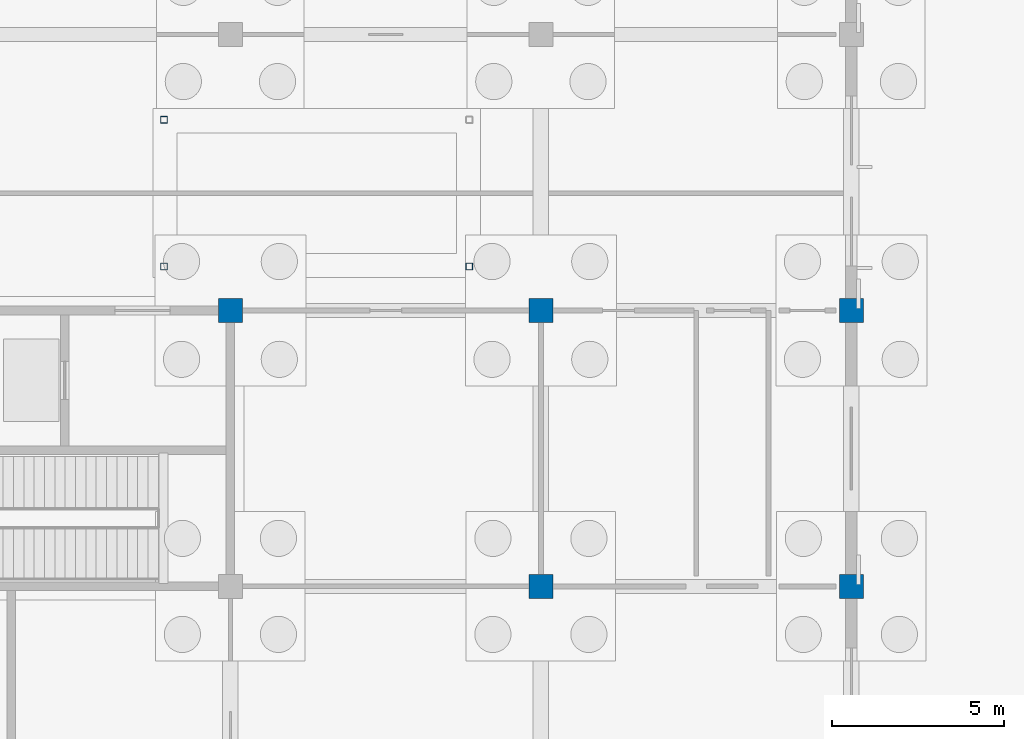
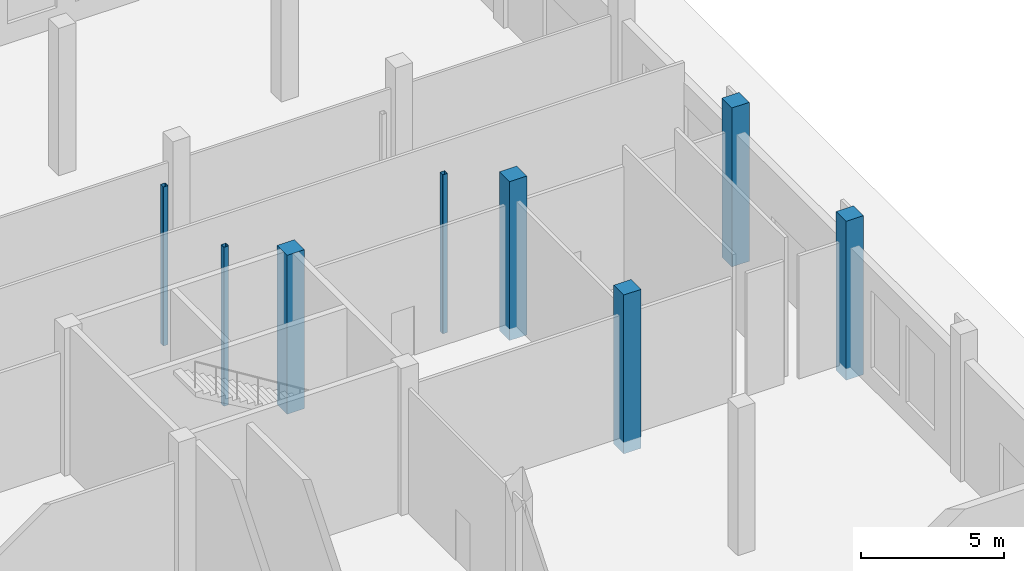
# One storey, part 33 of 99: 8 columns.
"""IFC4 building model written with IfcOpenShell, lengths in metres."""

import ifcopenshell
import ifcopenshell.guid

model = None  # the IFC model being written
_history = None  # IfcOwnerHistory: only IFC2X3 demands one
_inside = {}  # id of a spatial element -> (the spatial element, [elements in it])
_under = {}  # id of a project, library or spatial element -> (it, [spatial elements below it])
_declared = {}  # id of a project -> (the project, [libraries it declares])
_typed = {}  # id of a type object -> (the type object, [elements of that type])
_made_of = {}  # id of a material, layer set ... -> (it, [elements and type objects made of it])


def new_model(schema):
    """Start an empty IFC model of exactly this schema.

    Asked for "IFC4X3", IfcOpenShell would pick the latest addendum, in which some entities
    have other attributes; the version numbers below select the first issue.
    IFC2X3 requires an IfcOwnerHistory on every rooted entity: one is made here for all.
    """
    global model, _history
    if schema == "IFC4X3":
        model = ifcopenshell.file(schema_version=(4, 3, 0, 0))
    else:
        model = ifcopenshell.file(schema=schema)
    _inside.clear()
    _under.clear()
    _declared.clear()
    _typed.clear()
    _made_of.clear()
    _history = None
    if model.schema == "IFC2X3":
        org = make("IfcOrganization", Name="unknown")
        user = make(
            "IfcPersonAndOrganization",
            ThePerson=make("IfcPerson", FamilyName="unknown"),
            TheOrganization=org,
        )
        app = make(
            "IfcApplication",
            ApplicationDeveloper=org,
            Version="unknown",
            ApplicationFullName="unknown",
            ApplicationIdentifier="unknown",
        )
        _history = make(
            "IfcOwnerHistory",
            OwningUser=user,
            OwningApplication=app,
            ChangeAction="ADDED",
            CreationDate=0,
        )
    return model


def make(cls, **values):
    """One entity of the class cls with the attributes given. An attribute that is None is left unset."""
    return model.create_entity(
        cls, **{name: value for name, value in values.items() if value is not None}
    )


def rooted(cls, **values):
    """An entity with a GlobalId (a new one), such as an element, a storey or a relation."""
    return make(cls, GlobalId=ifcopenshell.guid.new(), OwnerHistory=_history, **values)


def si_unit(unit_type, name, prefix=None):
    """IfcSIUnit, for example si_unit("LENGTHUNIT", "METRE", prefix="MILLI")."""
    return make("IfcSIUnit", UnitType=unit_type, Prefix=prefix, Name=name)


def assignment(units):
    """IfcUnitAssignment: the units of a project."""
    return None if units is None else make("IfcUnitAssignment", Units=units)


def point(xyz):
    """IfcCartesianPoint."""
    return None if xyz is None else make("IfcCartesianPoint", Coordinates=xyz)


def direction(xyz):
    """IfcDirection."""
    return None if xyz is None else make("IfcDirection", DirectionRatios=xyz)


def frame(location, z_axis=None, x_axis=None):
    """IfcAxis2Placement3D, a coordinate frame: its origin and axes. An axis left out is left unset."""
    return make(
        "IfcAxis2Placement3D",
        Location=point(location),
        Axis=direction(z_axis),
        RefDirection=direction(x_axis),
    )


def frame_2d(location, x_axis=None):
    """IfcAxis2Placement2D, a coordinate frame in the plane: its origin and x axis."""
    return make(
        "IfcAxis2Placement2D", Location=point(location), RefDirection=direction(x_axis)
    )


def origin():
    """The frame at (0, 0, 0) with its axes left unset."""
    return frame((0.0, 0.0, 0.0))


def origin_2d():
    """The frame at (0, 0) in the plane with its x axis left unset."""
    return frame_2d((0.0, 0.0))


def place(relative_to, where):
    """IfcLocalPlacement: puts the frame where relative to a parent placement (None: the world)."""
    return make(
        "IfcLocalPlacement", PlacementRelTo=relative_to, RelativePlacement=where
    )


def context(
    kind, dimensions, precision=None, world=None, true_north=None, identifier=None
):
    """IfcGeometricRepresentationContext, for example the 3D "Model" context."""
    return make(
        "IfcGeometricRepresentationContext",
        ContextIdentifier=identifier,
        ContextType=kind,
        CoordinateSpaceDimension=dimensions,
        Precision=precision,
        WorldCoordinateSystem=world,
        TrueNorth=true_north,
    )


def subcontext(parent, identifier, kind, view, scale=None):
    """IfcGeometricRepresentationSubContext, for example "Body" below "Model"."""
    return make(
        "IfcGeometricRepresentationSubContext",
        ContextIdentifier=identifier,
        ContextType=kind,
        ParentContext=parent,
        TargetScale=scale,
        TargetView=view,
    )


def project(units=None, contexts=None):
    """IfcProject with its units and contexts."""
    return rooted(
        "IfcProject",
        Name="project",
        RepresentationContexts=contexts,
        UnitsInContext=assignment(units),
    )


def spatial(cls, under=None, at=None, **own):
    """A site, building, storey or space (cls), placed at a placement, below another one or the project."""
    s = rooted(cls, ObjectPlacement=at, **own)
    if under is not None:
        _under.setdefault(under.id(), (under, []))[1].append(s)
    return s


def profile(cls, at=None, kind="AREA", **sizes):
    """A parametric profile (cls). Its sizes go by their IFC names, for example OverallWidth=200.0."""
    return make(cls, ProfileType=kind, Position=at, **sizes)


def rectangle(**sizes):
    """IfcRectangleProfileDef."""
    return profile("IfcRectangleProfileDef", **sizes)


def hollow_rectangle(**sizes):
    """IfcRectangleHollowProfileDef."""
    return profile("IfcRectangleHollowProfileDef", **sizes)


def extrude(swept, where, along, depth):
    """IfcExtrudedAreaSolid: the profile swept, set in the frame where, extruded along a direction by depth."""
    return make(
        "IfcExtrudedAreaSolid",
        SweptArea=swept,
        Position=where,
        ExtrudedDirection=direction(along),
        Depth=depth,
    )


def shape(context_of_items, identifier, shape_type, items):
    """IfcShapeRepresentation: the items that make up one representation, for example the "Body"."""
    return make(
        "IfcShapeRepresentation",
        ContextOfItems=context_of_items,
        RepresentationIdentifier=identifier,
        RepresentationType=shape_type,
        Items=items,
    )


def material(Name=None, Category=None):
    """IfcMaterial."""
    return make("IfcMaterial", Name=Name, Category=Category)


def material_profile(
    of_material, cross_section, Name=None, Category=None, Priority=None
):
    """IfcMaterialProfile: a cross section and its material."""
    return make(
        "IfcMaterialProfile",
        Name=Name,
        Material=of_material,
        Profile=cross_section,
        Priority=Priority,
        Category=Category,
    )


def profile_set(profiles, Name=None, composite=None):
    """IfcMaterialProfileSet."""
    return make(
        "IfcMaterialProfileSet",
        Name=Name,
        MaterialProfiles=profiles,
        CompositeProfile=composite,
    )


def made_of(thing, what):
    """Note that an element or type object is made of a material, layer set ...; save() writes the relation."""
    if what is not None:
        _made_of.setdefault(what.id(), (what, []))[1].append(thing)
    return thing


def type_object(cls, material=None, **own):
    """A type object (cls), such as IfcWallType, which elements share."""
    return made_of(rooted(cls, **own), material)


def element(
    cls,
    number,
    at=None,
    inside=None,
    cuts=None,
    type_object=None,
    material=None,
    context=None,
    identifier="Body",
    shape_type=None,
    held_by="IfcProductDefinitionShape",
    body=None,
    shapes=None,
    **own,
):
    """One element of the class cls, such as IfcWall. Its Tag is "e" and its number.

    at: its placement. inside: the storey or other place that contains it. cuts: it is an
    opening in that element (IfcRelVoidsElement). A single representation is given by context,
    identifier, shape_type and body (its items); several are given by shapes. held_by: the class
    of the entity that holds the representations. save() writes the other relations.
    """
    e = rooted(cls, Tag="e%d" % number, ObjectPlacement=at, **own)
    if body is not None:
        shapes = [shape(context, identifier, shape_type, body)]
    if shapes is not None:
        e.Representation = make(held_by, Representations=shapes)
    if inside is not None:
        _inside.setdefault(inside.id(), (inside, []))[1].append(e)
    if cuts is not None:
        rooted(
            "IfcRelVoidsElement", RelatingBuildingElement=cuts, RelatedOpeningElement=e
        )
    if type_object is not None:
        _typed.setdefault(type_object.id(), (type_object, []))[1].append(e)
    return made_of(e, material)


def aggregate(whole, parts):
    """IfcRelAggregates: a whole, such as a stair, and the parts it consists of."""
    return rooted("IfcRelAggregates", RelatingObject=whole, RelatedObjects=parts)


def save(model, path):
    """Write the relations noted so far, then the file.

    IfcRelAggregates (storeys below a building ...), IfcRelContainedInSpatialStructure (elements
    in a storey), IfcRelDefinesByType, IfcRelAssociatesMaterial and IfcRelDeclares: one each for
    every whole, place, type object, material and project.
    """
    for whole, parts in _under.values():
        aggregate(whole, parts)
    for where, things in _inside.values():
        rooted(
            "IfcRelContainedInSpatialStructure",
            RelatedElements=things,
            RelatingStructure=where,
        )
    for kind, things in _typed.values():
        rooted("IfcRelDefinesByType", RelatedObjects=things, RelatingType=kind)
    for what, things in _made_of.values():
        rooted("IfcRelAssociatesMaterial", RelatedObjects=things, RelatingMaterial=what)
    for by, libraries in _declared.values():
        rooted("IfcRelDeclares", RelatingContext=by, RelatedDefinitions=libraries)
    model.write(path)


model = new_model("IFC4")

# Units and contexts
model_context = context("Model", 3, precision=1e-05, world=origin(), true_north=direction((0.0, 1.0)))
body_context = subcontext(model_context, "Body", "Model", "MODEL_VIEW")
ifc_project = project(units=[si_unit("LENGTHUNIT", "METRE"), si_unit("AREAUNIT", "SQUARE_METRE"), si_unit("VOLUMEUNIT", "CUBIC_METRE"), si_unit("PLANEANGLEUNIT", "RADIAN"), si_unit("MASSUNIT", "GRAM", prefix="KILO")], contexts=[model_context])

# Site, building, storey
site_placement = place(None, origin())
site = spatial("IfcSite", under=ifc_project, at=site_placement, CompositionType="ELEMENT")
building_placement = place(site_placement, origin())
building = spatial("IfcBuilding", under=site, at=building_placement, Name="Zacnel Wholesale Market", CompositionType="ELEMENT")
storey_placement = place(building_placement, origin())
storey = spatial("IfcBuildingStorey", under=building, at=storey_placement, Name="L01", CompositionType="ELEMENT", Elevation=0.0)

# Columns
ifc_material_1 = material(Name="Precast concrete C45/55", Category="concrete")
ifc_material_profile_1 = material_profile(ifc_material_1, rectangle(XDim=0.699951171875, YDim=0.699951171875, at=origin_2d()), Name="PC 700x700")
ifc_profile_set_1 = profile_set([ifc_material_profile_1], Name="Precast concrete C45/55")
column_type_1 = type_object("IfcColumnType", Name="COL-PC700", PredefinedType="COLUMN", material=ifc_profile_set_1)
for number, where, z_axis, x_axis, name in (
    (1, (198.0, 24.0, -0.5), (0.0, 0.0, 1.0), (1.0, 0.0, 0.0), "Precast column L01-0316"),
    (2, (207.0, 16.0, -0.5), (0.0, 0.0, 1.0), (1.0, 0.0, 0.0), "Precast column L01-0328"),
    (3, (207.0, 24.0, -0.5), (0.0, 0.0, 1.0), (1.0, 0.0, 0.0), "Precast column L01-0329"),
    (4, (216.0, 16.0, -0.5), (0.0, 0.0, 1.0), (1.0, 0.0, 0.0), "Precast column L01-0341"),
    (5, (216.0, 24.0, -0.5), (0.0, 0.0, 1.0), (1.0, 0.0, 0.0), "Precast column L01-0342"),
):
    element("IfcColumn", number, at=place(storey_placement, frame(where, z_axis=z_axis, x_axis=x_axis)), inside=storey, type_object=column_type_1, Name=name, PredefinedType="COLUMN", context=body_context, shape_type="SweptSolid", body=[
        extrude(rectangle(XDim=0.699951171875, YDim=0.699951171875, at=origin_2d()), origin(), (0.0, 0.0, 1.0), 6.800048828125),
    ])
ifc_material_2 = material(Name="Steel S355", Category="steel")
ifc_material_profile_2 = material_profile(ifc_material_2, hollow_rectangle(XDim=0.199951171875, YDim=0.199951171875, WallThickness=0.010009765625, InnerFilletRadius=0.010009765625, OuterFilletRadius=0.02001953125, at=origin_2d()), Name="HSS 200x200x10")
ifc_profile_set_2 = profile_set([ifc_material_profile_2], Name="Steel S355")
column_type_2 = type_object("IfcColumnType", Name="COL-STL-HSS200", PredefinedType="COLUMN", material=ifc_profile_set_2)
for number, where, z_axis, x_axis, name in (
    (6, (196.074951171875, 25.27490234375, -0.5), (0.0, 0.0, 1.0), (1.0, 0.0, 0.0), "Stair ST-26 shaft support column L01-1"),
    (7, (204.925048828125, 25.27490234375, -0.5), (0.0, 0.0, 1.0), (1.0, 0.0, 0.0), "Stair ST-26 shaft support column L01-2"),
    (8, (196.074951171875, 29.52490234375, -0.5), (0.0, 0.0, 1.0), (1.0, 0.0, 0.0), "Stair ST-26 shaft support column L01-3"),
):
    element("IfcColumn", number, at=place(storey_placement, frame(where, z_axis=z_axis, x_axis=x_axis)), inside=storey, type_object=column_type_2, Name=name, PredefinedType="COLUMN", context=body_context, shape_type="SweptSolid", body=[
        extrude(hollow_rectangle(XDim=0.199951171875, YDim=0.199951171875, WallThickness=0.010009765625, InnerFilletRadius=0.010009765625, OuterFilletRadius=0.02001953125, at=origin_2d()), origin(), (0.0, 0.0, 1.0), 6.800048828125),
    ])

save(model, "model.ifc")
